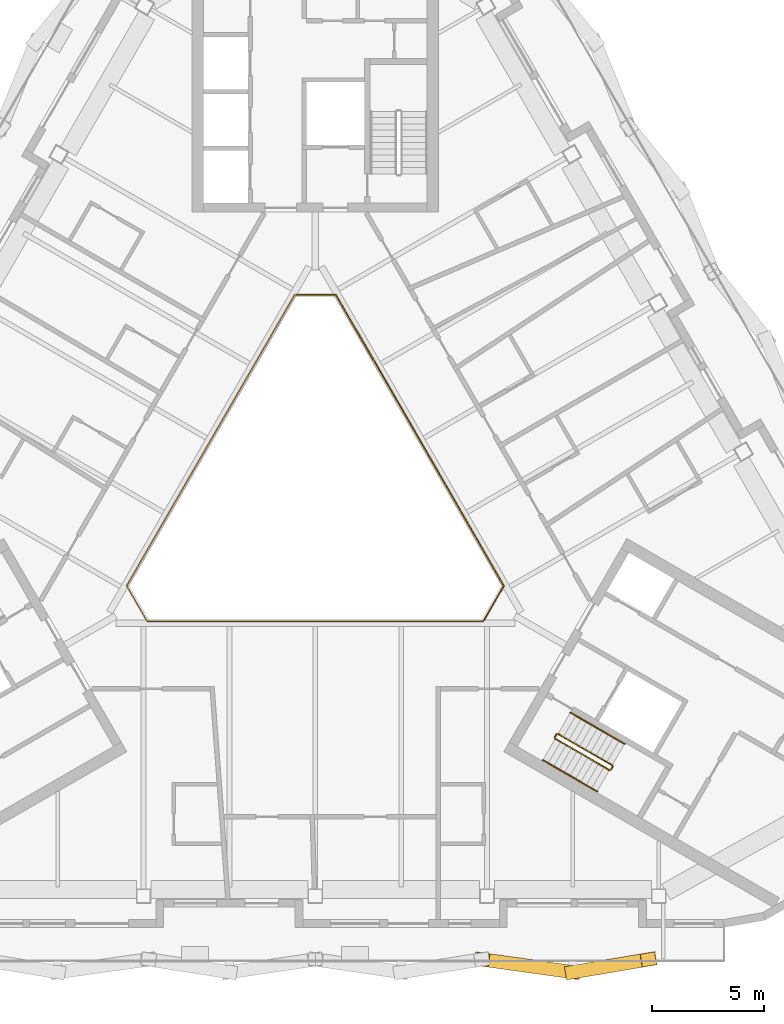
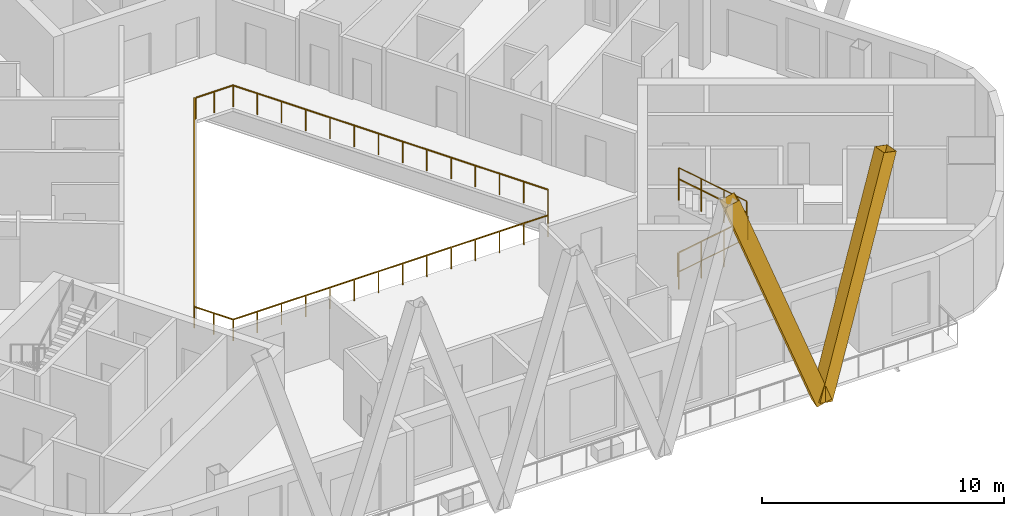
# One storey, part 12 of 14: 8 railings, 2 shading devices.
"""IFC4 building model written with IfcOpenShell, lengths in metres."""

from ifc_helpers import new_model, si_unit, direction, frame, origin, origin_2d, place, context, subcontext, project, spatial, rectangle, hollow_rectangle, circle, extrude, material, material_profile, profile_set, type_object, element, save


model = new_model("IFC4")

# Units and contexts
model_context = context("Model", 3, precision=1e-05, world=origin(), true_north=direction((0.0, 1.0)))
body_context = subcontext(model_context, "Body", "Model", "MODEL_VIEW")
ifc_project = project(units=[si_unit("LENGTHUNIT", "METRE"), si_unit("AREAUNIT", "SQUARE_METRE"), si_unit("VOLUMEUNIT", "CUBIC_METRE"), si_unit("PLANEANGLEUNIT", "RADIAN"), si_unit("MASSUNIT", "GRAM", prefix="KILO")], contexts=[model_context])

# Site, building, storey
site_placement = place(None, origin())
site = spatial("IfcSite", under=ifc_project, at=site_placement, CompositionType="ELEMENT")
building_placement = place(site_placement, origin())
building = spatial("IfcBuilding", under=site, at=building_placement, Name="Apuvela Tower Hotel", CompositionType="ELEMENT")
storey_placement = place(building_placement, frame((0.0, 0.0, 257.800048828125)))
storey = spatial("IfcBuildingStorey", under=building, at=storey_placement, Name="L63", CompositionType="ELEMENT", Elevation=257.800048828125)

# Railings
ifc_material_1 = material(Name="Steel S275 balustrade", Category="steel")
railing_type_1 = type_object("IfcRailingType", Name="COR-GUARD-1100", PredefinedType="GUARDRAIL", material=ifc_material_1)
railing_1_placement = place(storey_placement, frame((10.718994140625, -10.63427734375, 0.168212890625)))
element("IfcRailing", 1, at=railing_1_placement, inside=storey, type_object=railing_type_1, Name="L63 ST3 stair guard 1", PredefinedType="GUARDRAIL", context=body_context, shape_type="SweptSolid", body=[
    extrude(rectangle(XDim=0.048095703125, YDim=0.048095703125, at=origin_2d()), frame((0.0, 0.0, 1.076171875), z_axis=(0.74241905619, -0.428617687091, 0.514879426), x_axis=(0.49998411664, 0.866034573852, 0.0)), (0.0, 0.0, 1.0), 3.26611328125),
    extrude(rectangle(XDim=0.0419921875, YDim=0.0419921875, at=origin_2d()), origin(), (0.0, 0.0, 1.0), 1.052001953125),
    extrude(rectangle(XDim=0.0419921875, YDim=0.0419921875, at=origin_2d()), frame((0.808349609375, -0.466552734375, 0.560546875)), (0.0, 0.0, 1.0), 1.052001953125),
    extrude(rectangle(XDim=0.0419921875, YDim=0.0419921875, at=origin_2d()), frame((1.616455078125, -0.933349609375, 1.12109375)), (0.0, 0.0, 1.0), 1.052001953125),
    extrude(rectangle(XDim=0.0419921875, YDim=0.0419921875, at=origin_2d()), frame((2.4248046875, -1.39990234375, 1.681640625)), (0.0, 0.0, 1.0), 1.052001953125),
])
railing_2_placement = place(storey_placement, frame((13.212158203125, -12.015869140625, 1.849853515625)))
element("IfcRailing", 2, at=railing_2_placement, inside=storey, type_object=railing_type_1, Name="L63 ST3 stair guard 2", PredefinedType="GUARDRAIL", context=body_context, shape_type="SweptSolid", body=[
    extrude(rectangle(XDim=0.048095703125, YDim=0.048095703125, at=origin_2d()), frame((0.0, 0.0, 1.076171875), z_axis=(0.499816412211, 0.866131372301, 0.0), x_axis=(-0.866131372301, 0.499816412211, 0.0)), (0.0, 0.0, 1.0), 0.14990234375),
    extrude(rectangle(XDim=0.0419921875, YDim=0.0419921875, at=origin_2d()), origin(), (0.0, 0.0, 1.0), 1.052001953125),
    extrude(rectangle(XDim=0.0419921875, YDim=0.0419921875, at=origin_2d()), frame((0.074951171875, 0.1298828125, 0.0)), (0.0, 0.0, 1.0), 1.052001953125),
])
railing_3_placement = place(storey_placement, frame((13.268798828125, -11.817626953125, 2.01806640625)))
element("IfcRailing", 3, at=railing_3_placement, inside=storey, type_object=railing_type_1, Name="L63 ST3 stair guard 3", PredefinedType="GUARDRAIL", context=body_context, shape_type="SweptSolid", body=[
    extrude(rectangle(XDim=0.048095703125, YDim=0.048095703125, at=origin_2d()), frame((0.0, 0.0, 1.076171875), z_axis=(-0.742390482028, 0.42860119049, 0.514934356695), x_axis=(-0.49998411664, -0.866034573852, 0.0)), (0.0, 0.0, 1.0), 3.26611328125),
    extrude(rectangle(XDim=0.0419921875, YDim=0.0419921875, at=origin_2d()), origin(), (0.0, 0.0, 1.0), 1.052001953125),
    extrude(rectangle(XDim=0.0419921875, YDim=0.0419921875, at=origin_2d()), frame((-0.808349609375, 0.466552734375, 0.560546875)), (0.0, 0.0, 1.0), 1.052001953125),
    extrude(rectangle(XDim=0.0419921875, YDim=0.0419921875, at=origin_2d()), frame((-1.616455078125, 0.933349609375, 1.121337890625)), (0.0, 0.0, 1.0), 1.052001953125),
    extrude(rectangle(XDim=0.0419921875, YDim=0.0419921875, at=origin_2d()), frame((-2.4248046875, 1.39990234375, 1.681884765625)), (0.0, 0.0, 1.0), 1.052001953125),
])
railing_4_placement = place(storey_placement, frame((10.70068359375, -10.56591796875, 0.0)))
element("IfcRailing", 4, at=railing_4_placement, inside=storey, type_object=railing_type_1, Name="L63 ST3 stair guard 4", PredefinedType="GUARDRAIL", context=body_context, shape_type="SweptSolid", body=[
    extrude(rectangle(XDim=0.048095703125, YDim=0.048095703125, at=origin_2d()), frame((0.0, 0.0, 1.076171875), z_axis=(0.499816412211, 0.866131372301, 0.0), x_axis=(-0.866131372301, 0.499816412211, 0.0)), (0.0, 0.0, 1.0), 0.14990234375),
    extrude(rectangle(XDim=0.0419921875, YDim=0.0419921875, at=origin_2d()), origin(), (0.0, 0.0, 1.0), 1.052001953125),
    extrude(rectangle(XDim=0.0419921875, YDim=0.0419921875, at=origin_2d()), frame((0.074951171875, 0.1298828125, 0.0)), (0.0, 0.0, 1.0), 1.052001953125),
])
ifc_material_2 = material(Name="Stainless steel 316 handrail", Category="steel")
railing_type_2 = type_object("IfcRailingType", Name="COR-HANDRAIL-900", PredefinedType="HANDRAIL", material=ifc_material_2)
railing_5_placement = place(storey_placement, frame((10.1689453125, -11.5869140625, 0.168212890625)))
element("IfcRailing", 5, at=railing_5_placement, inside=storey, type_object=railing_type_2, Name="L63 ST3 stair handrail 1", PredefinedType="HANDRAIL", context=body_context, shape_type="SweptSolid", body=[
    extrude(circle(Radius=0.02392578125, at=origin_2d()), frame((0.0, 0.0, 0.8759765625), z_axis=(0.74241905619, -0.428617687091, 0.514879426), x_axis=(0.49998411664, 0.866034573852, 0.0)), (0.0, 0.0, 1.0), 3.26611328125),
    extrude(rectangle(XDim=0.0419921875, YDim=0.0419921875, at=origin_2d()), origin(), (0.0, 0.0, 1.0), 0.851806640625),
    extrude(rectangle(XDim=0.0419921875, YDim=0.0419921875, at=origin_2d()), frame((0.808349609375, -0.466552734375, 0.560546875)), (0.0, 0.0, 1.0), 0.851806640625),
    extrude(rectangle(XDim=0.0419921875, YDim=0.0419921875, at=origin_2d()), frame((1.616455078125, -0.933349609375, 1.12109375)), (0.0, 0.0, 1.0), 0.851806640625),
    extrude(rectangle(XDim=0.0419921875, YDim=0.0419921875, at=origin_2d()), frame((2.4248046875, -1.39990234375, 1.681640625)), (0.0, 0.0, 1.0), 0.851806640625),
])
railing_6_placement = place(storey_placement, frame((13.81884765625, -10.864990234375, 2.01806640625)))
element("IfcRailing", 6, at=railing_6_placement, inside=storey, type_object=railing_type_2, Name="L63 ST3 stair handrail 2", PredefinedType="HANDRAIL", context=body_context, shape_type="SweptSolid", body=[
    extrude(circle(Radius=0.02392578125, at=origin_2d()), frame((0.0, 0.0, 0.8759765625), z_axis=(-0.742390482028, 0.42860119049, 0.514934356695), x_axis=(-0.49998411664, -0.866034573852, 0.0)), (0.0, 0.0, 1.0), 3.26611328125),
    extrude(rectangle(XDim=0.0419921875, YDim=0.0419921875, at=origin_2d()), origin(), (0.0, 0.0, 1.0), 0.851806640625),
    extrude(rectangle(XDim=0.0419921875, YDim=0.0419921875, at=origin_2d()), frame((-0.808349609375, 0.466552734375, 0.560546875)), (0.0, 0.0, 1.0), 0.851806640625),
    extrude(rectangle(XDim=0.0419921875, YDim=0.0419921875, at=origin_2d()), frame((-1.616455078125, 0.933349609375, 1.121337890625)), (0.0, 0.0, 1.0), 0.851806640625),
    extrude(rectangle(XDim=0.0419921875, YDim=0.0419921875, at=origin_2d()), frame((-2.4248046875, 1.39990234375, 1.681884765625)), (0.0, 0.0, 1.0), 0.851806640625),
])

# Shading devices
ifc_material_3 = material(Name="Aluminium 6063-T6, black anodised", Category="aluminium")
ifc_material_profile = material_profile(ifc_material_3, hollow_rectangle(XDim=0.60009765625, YDim=0.699951171875, WallThickness=0.011962890625, at=origin_2d()), Name="AL BOX 700x600x12")
ifc_profile_set = profile_set([ifc_material_profile], Name="Aluminium 6063-T6, black anodised")
shading_device_type = type_object("IfcShadingDeviceType", Name="ENV-FIN-700x600", PredefinedType="USERDEFINED", material=ifc_profile_set)
shading_device_1_placement = place(storey_placement, frame((11.5078125, -21.06298828125, -0.10009765625), z_axis=(-0.343425058085, 0.047923133894, 0.937956610253), x_axis=(-0.138205532075, -0.990403569715, 0.0)))
element("IfcShadingDevice", 7, at=shading_device_1_placement, inside=storey, type_object=shading_device_type, Name="Lattice fin S543", ObjectType="FIN", PredefinedType="USERDEFINED", context=body_context, shape_type="SweptSolid", body=[
    extrude(hollow_rectangle(XDim=0.60009765625, YDim=0.699951171875, WallThickness=0.011962890625, at=origin_2d()), origin(), (0.0, 0.0, 1.0), 11.834228515625),
])
shading_device_2_placement = place(storey_placement, frame((11.5078125, -21.06298828125, -0.10009765625), z_axis=(0.29090140611, 0.048819821297, 0.955506670292), x_axis=(-0.165508034258, 0.986208441759, 0.0)))
element("IfcShadingDevice", 8, at=shading_device_2_placement, inside=storey, type_object=shading_device_type, Name="Lattice fin S544", ObjectType="FIN", PredefinedType="USERDEFINED", context=body_context, shape_type="SweptSolid", body=[
    extrude(hollow_rectangle(XDim=0.60009765625, YDim=0.699951171875, WallThickness=0.011962890625, at=origin_2d()), origin(), (0.0, 0.0, 1.0), 11.616943359375),
])

# Railings
ifc_material_4 = material(Name="Stainless steel 316 rail with laminated glass infill", Category="steel")
railing_type_3 = type_object("IfcRailingType", Name="ENV-GUARD-1100", PredefinedType="GUARDRAIL", material=ifc_material_4)
railing_7_placement = place(storey_placement, frame((-0.923828125, 9.199951171875, 0.0)))
element("IfcRailing", 9, at=railing_7_placement, inside=storey, type_object=railing_type_3, Name="Atrium void guard A L63", PredefinedType="GUARDRAIL", context=body_context, shape_type="SweptSolid", body=[
    extrude(rectangle(XDim=0.050048828125, YDim=0.050048828125, at=origin_2d()), frame((0.0, 0.0, 1.0751953125), z_axis=(-0.499990886379, -0.866030665472, 0.0), x_axis=(0.866030665472, -0.499990886379, 0.0)), (0.0, 0.0, 1.0), 15.010986328125),
    extrude(rectangle(XDim=0.050048828125, YDim=0.050048828125, at=origin_2d()), frame((-7.50537109375, -13.0, 1.0751953125), z_axis=(0.499962699187, -0.866046938348, 0.0), x_axis=(0.866046938348, 0.499962699187, 0.0)), (0.0, 0.0, 1.0), 1.847412109375),
    extrude(rectangle(XDim=0.050048828125, YDim=0.050048828125, at=origin_2d()), frame((-6.581787109375, -14.599853515625, 1.0751953125), z_axis=(1.0, 0.0, 0.0), x_axis=(0.0, 1.0, 0.0)), (0.0, 0.0, 1.0), 15.01123046875),
    extrude(rectangle(XDim=0.0400390625, YDim=0.0400390625, at=origin_2d()), origin(), (0.0, 0.0, 1.0), 1.050048828125),
    extrude(rectangle(XDim=0.0400390625, YDim=0.0400390625, at=origin_2d()), frame((-0.577392578125, -1.0, 0.0)), (0.0, 0.0, 1.0), 1.050048828125),
    extrude(rectangle(XDim=0.0400390625, YDim=0.0400390625, at=origin_2d()), frame((-1.15478515625, -2.0, 0.0)), (0.0, 0.0, 1.0), 1.050048828125),
    extrude(rectangle(XDim=0.0400390625, YDim=0.0400390625, at=origin_2d()), frame((-1.73193359375, -3.0, 0.0)), (0.0, 0.0, 1.0), 1.050048828125),
    extrude(rectangle(XDim=0.0400390625, YDim=0.0400390625, at=origin_2d()), frame((-2.309326171875, -4.0, 0.0)), (0.0, 0.0, 1.0), 1.050048828125),
    extrude(rectangle(XDim=0.0400390625, YDim=0.0400390625, at=origin_2d()), frame((-2.88671875, -5.0, 0.0)), (0.0, 0.0, 1.0), 1.050048828125),
    extrude(rectangle(XDim=0.0400390625, YDim=0.0400390625, at=origin_2d()), frame((-3.464111328125, -6.0, 0.0)), (0.0, 0.0, 1.0), 1.050048828125),
    extrude(rectangle(XDim=0.0400390625, YDim=0.0400390625, at=origin_2d()), frame((-4.041259765625, -7.0, 0.0)), (0.0, 0.0, 1.0), 1.050048828125),
    extrude(rectangle(XDim=0.0400390625, YDim=0.0400390625, at=origin_2d()), frame((-4.61865234375, -8.0, 0.0)), (0.0, 0.0, 1.0), 1.050048828125),
    extrude(rectangle(XDim=0.0400390625, YDim=0.0400390625, at=origin_2d()), frame((-5.196044921875, -9.0, 0.0)), (0.0, 0.0, 1.0), 1.050048828125),
    extrude(rectangle(XDim=0.0400390625, YDim=0.0400390625, at=origin_2d()), frame((-5.7734375, -10.0, 0.0)), (0.0, 0.0, 1.0), 1.050048828125),
    extrude(rectangle(XDim=0.0400390625, YDim=0.0400390625, at=origin_2d()), frame((-6.3505859375, -11.0, 0.0)), (0.0, 0.0, 1.0), 1.050048828125),
    extrude(rectangle(XDim=0.0400390625, YDim=0.0400390625, at=origin_2d()), frame((-6.927978515625, -12.0, 0.0)), (0.0, 0.0, 1.0), 1.050048828125),
    extrude(rectangle(XDim=0.0400390625, YDim=0.0400390625, at=origin_2d()), frame((-7.50537109375, -13.0, 0.0)), (0.0, 0.0, 1.0), 1.050048828125),
    extrude(rectangle(XDim=0.0400390625, YDim=0.0400390625, at=origin_2d()), frame((-7.04345703125, -13.7998046875, 0.0)), (0.0, 0.0, 1.0), 1.050048828125),
    extrude(rectangle(XDim=0.0400390625, YDim=0.0400390625, at=origin_2d()), frame((-6.581787109375, -14.599853515625, 0.0)), (0.0, 0.0, 1.0), 1.050048828125),
    extrude(rectangle(XDim=0.0400390625, YDim=0.0400390625, at=origin_2d()), frame((-5.427001953125, -14.599853515625, 0.0)), (0.0, 0.0, 1.0), 1.050048828125),
    extrude(rectangle(XDim=0.0400390625, YDim=0.0400390625, at=origin_2d()), frame((-4.2724609375, -14.599853515625, 0.0)), (0.0, 0.0, 1.0), 1.050048828125),
    extrude(rectangle(XDim=0.0400390625, YDim=0.0400390625, at=origin_2d()), frame((-3.11767578125, -14.599853515625, 0.0)), (0.0, 0.0, 1.0), 1.050048828125),
    extrude(rectangle(XDim=0.0400390625, YDim=0.0400390625, at=origin_2d()), frame((-1.962890625, -14.599853515625, 0.0)), (0.0, 0.0, 1.0), 1.050048828125),
    extrude(rectangle(XDim=0.0400390625, YDim=0.0400390625, at=origin_2d()), frame((-0.808349609375, -14.599853515625, 0.0)), (0.0, 0.0, 1.0), 1.050048828125),
    extrude(rectangle(XDim=0.0400390625, YDim=0.0400390625, at=origin_2d()), frame((0.346435546875, -14.599853515625, 0.0)), (0.0, 0.0, 1.0), 1.050048828125),
    extrude(rectangle(XDim=0.0400390625, YDim=0.0400390625, at=origin_2d()), frame((1.501220703125, -14.599853515625, 0.0)), (0.0, 0.0, 1.0), 1.050048828125),
    extrude(rectangle(XDim=0.0400390625, YDim=0.0400390625, at=origin_2d()), frame((2.656005859375, -14.599853515625, 0.0)), (0.0, 0.0, 1.0), 1.050048828125),
    extrude(rectangle(XDim=0.0400390625, YDim=0.0400390625, at=origin_2d()), frame((3.810546875, -14.599853515625, 0.0)), (0.0, 0.0, 1.0), 1.050048828125),
    extrude(rectangle(XDim=0.0400390625, YDim=0.0400390625, at=origin_2d()), frame((4.96533203125, -14.599853515625, 0.0)), (0.0, 0.0, 1.0), 1.050048828125),
    extrude(rectangle(XDim=0.0400390625, YDim=0.0400390625, at=origin_2d()), frame((6.1201171875, -14.599853515625, 0.0)), (0.0, 0.0, 1.0), 1.050048828125),
    extrude(rectangle(XDim=0.0400390625, YDim=0.0400390625, at=origin_2d()), frame((7.274658203125, -14.599853515625, 0.0)), (0.0, 0.0, 1.0), 1.050048828125),
    extrude(rectangle(XDim=0.0400390625, YDim=0.0400390625, at=origin_2d()), frame((8.429443359375, -14.599853515625, 0.0)), (0.0, 0.0, 1.0), 1.050048828125),
])
railing_8_placement = place(storey_placement, frame((7.53564453125, -5.347900390625, 0.0)))
element("IfcRailing", 10, at=railing_8_placement, inside=storey, type_object=railing_type_3, Name="Atrium void guard B L63", PredefinedType="GUARDRAIL", context=body_context, shape_type="SweptSolid", body=[
    extrude(rectangle(XDim=0.050048828125, YDim=0.050048828125, at=origin_2d()), frame((0.0, 0.0, 1.0751953125), z_axis=(0.499958946799, 0.866049104564, 0.0), x_axis=(-0.866049104564, 0.499958946799, 0.0)), (0.0, 0.0, 1.0), 1.787353515625),
    extrude(rectangle(XDim=0.050048828125, YDim=0.050048828125, at=origin_2d()), frame((0.8935546875, 1.5478515625, 1.0751953125), z_axis=(-0.499990886379, 0.866030665472, 0.0), x_axis=(-0.866030665472, -0.499990886379, 0.0)), (0.0, 0.0, 1.0), 15.010986328125),
    extrude(rectangle(XDim=0.050048828125, YDim=0.050048828125, at=origin_2d()), frame((-6.61181640625, 14.5478515625, 1.0751953125), z_axis=(-1.0, 0.0, 0.0), x_axis=(0.0, -1.0, 0.0)), (0.0, 0.0, 1.0), 1.78759765625),
    extrude(rectangle(XDim=0.0400390625, YDim=0.0400390625, at=origin_2d()), origin(), (0.0, 0.0, 1.0), 1.050048828125),
    extrude(rectangle(XDim=0.0400390625, YDim=0.0400390625, at=origin_2d()), frame((0.44677734375, 0.77392578125, 0.0)), (0.0, 0.0, 1.0), 1.050048828125),
    extrude(rectangle(XDim=0.0400390625, YDim=0.0400390625, at=origin_2d()), frame((0.8935546875, 1.5478515625, 0.0)), (0.0, 0.0, 1.0), 1.050048828125),
    extrude(rectangle(XDim=0.0400390625, YDim=0.0400390625, at=origin_2d()), frame((0.316162109375, 2.5478515625, 0.0)), (0.0, 0.0, 1.0), 1.050048828125),
    extrude(rectangle(XDim=0.0400390625, YDim=0.0400390625, at=origin_2d()), frame((-0.26123046875, 3.5478515625, 0.0)), (0.0, 0.0, 1.0), 1.050048828125),
    extrude(rectangle(XDim=0.0400390625, YDim=0.0400390625, at=origin_2d()), frame((-0.83837890625, 4.5478515625, 0.0)), (0.0, 0.0, 1.0), 1.050048828125),
    extrude(rectangle(XDim=0.0400390625, YDim=0.0400390625, at=origin_2d()), frame((-1.415771484375, 5.5478515625, 0.0)), (0.0, 0.0, 1.0), 1.050048828125),
    extrude(rectangle(XDim=0.0400390625, YDim=0.0400390625, at=origin_2d()), frame((-1.9931640625, 6.5478515625, 0.0)), (0.0, 0.0, 1.0), 1.050048828125),
    extrude(rectangle(XDim=0.0400390625, YDim=0.0400390625, at=origin_2d()), frame((-2.570556640625, 7.5478515625, 0.0)), (0.0, 0.0, 1.0), 1.050048828125),
    extrude(rectangle(XDim=0.0400390625, YDim=0.0400390625, at=origin_2d()), frame((-3.147705078125, 8.5478515625, 0.0)), (0.0, 0.0, 1.0), 1.050048828125),
    extrude(rectangle(XDim=0.0400390625, YDim=0.0400390625, at=origin_2d()), frame((-3.72509765625, 9.5478515625, 0.0)), (0.0, 0.0, 1.0), 1.050048828125),
    extrude(rectangle(XDim=0.0400390625, YDim=0.0400390625, at=origin_2d()), frame((-4.302490234375, 10.5478515625, 0.0)), (0.0, 0.0, 1.0), 1.050048828125),
    extrude(rectangle(XDim=0.0400390625, YDim=0.0400390625, at=origin_2d()), frame((-4.8798828125, 11.5478515625, 0.0)), (0.0, 0.0, 1.0), 1.050048828125),
    extrude(rectangle(XDim=0.0400390625, YDim=0.0400390625, at=origin_2d()), frame((-5.45703125, 12.5478515625, 0.0)), (0.0, 0.0, 1.0), 1.050048828125),
    extrude(rectangle(XDim=0.0400390625, YDim=0.0400390625, at=origin_2d()), frame((-6.034423828125, 13.5478515625, 0.0)), (0.0, 0.0, 1.0), 1.050048828125),
    extrude(rectangle(XDim=0.0400390625, YDim=0.0400390625, at=origin_2d()), frame((-6.61181640625, 14.5478515625, 0.0)), (0.0, 0.0, 1.0), 1.050048828125),
    extrude(rectangle(XDim=0.0400390625, YDim=0.0400390625, at=origin_2d()), frame((-7.505615234375, 14.5478515625, 0.0)), (0.0, 0.0, 1.0), 1.050048828125),
    extrude(rectangle(XDim=0.0400390625, YDim=0.0400390625, at=origin_2d()), frame((-8.3994140625, 14.5478515625, 0.0)), (0.0, 0.0, 1.0), 1.050048828125),
])

save(model, "model.ifc")
